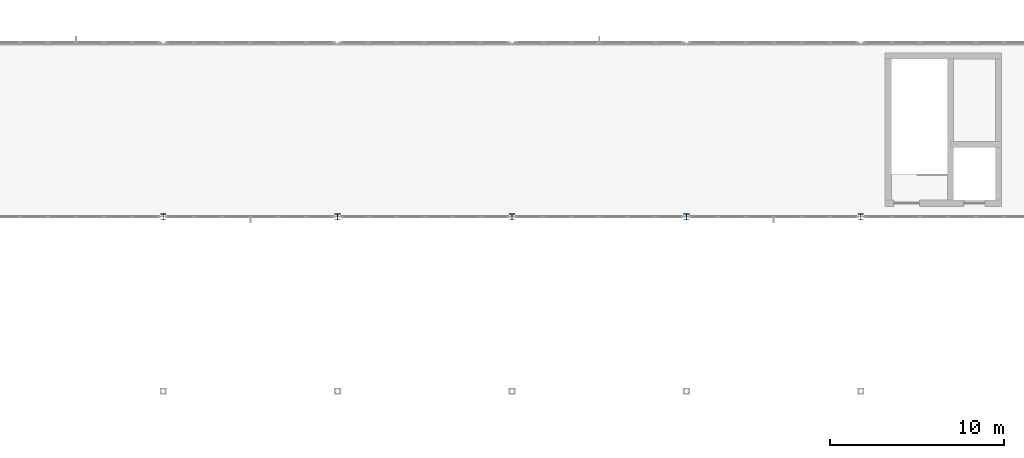
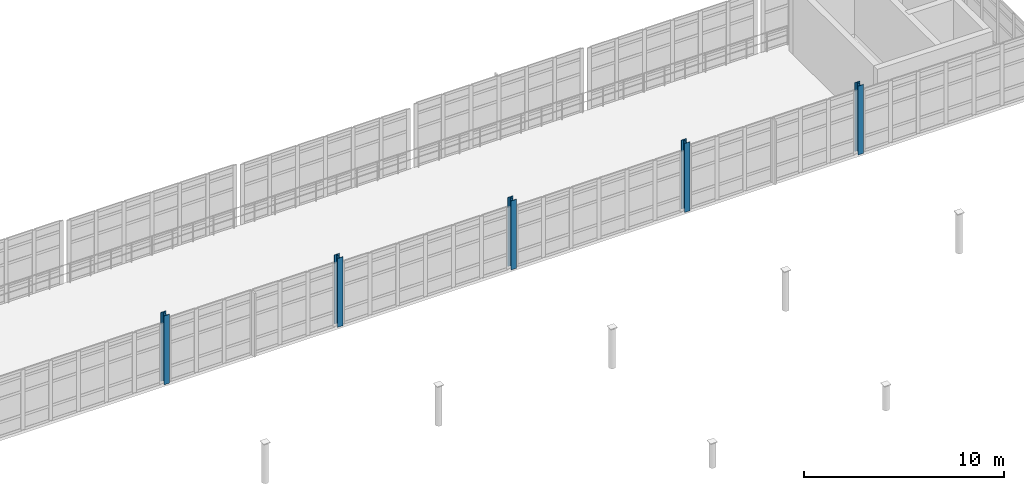
# One storey, part 9 of 122: 5 columns.
"""IFC4 building model written with IfcOpenShell, lengths in metres."""

from ifc_helpers import new_model, si_unit, direction, frame, origin, origin_2d, place, context, subcontext, project, spatial, i_section, extrude, material, material_profile, profile_set, type_object, element, save


model = new_model("IFC4")

# Units and contexts
model_context = context("Model", 3, precision=1e-05, world=origin(), true_north=direction((0.0, 1.0)))
body_context = subcontext(model_context, "Body", "Model", "MODEL_VIEW")
ifc_project = project(units=[si_unit("LENGTHUNIT", "METRE"), si_unit("AREAUNIT", "SQUARE_METRE"), si_unit("VOLUMEUNIT", "CUBIC_METRE"), si_unit("PLANEANGLEUNIT", "RADIAN"), si_unit("MASSUNIT", "GRAM", prefix="KILO"), si_unit("THERMODYNAMICTEMPERATUREUNIT", "KELVIN"), si_unit("POWERUNIT", "WATT")], contexts=[model_context])

# Site, building, storey
site_placement = place(None, origin())
site = spatial("IfcSite", under=ifc_project, at=site_placement, CompositionType="ELEMENT")
building_placement = place(site_placement, origin())
building = spatial("IfcBuilding", under=site, at=building_placement, Name="Korenveer Ferry Terminal", CompositionType="ELEMENT")
storey_placement = place(building_placement, frame((0.0, 0.0, 10.199951171875)))
storey = spatial("IfcBuildingStorey", under=building, at=storey_placement, Name="L02", CompositionType="ELEMENT", Elevation=10.199951171875)

# Columns
ifc_material = material(Name="Steel S355", Category="steel")
ifc_material_profile = material_profile(ifc_material, i_section(OverallWidth=0.300048828125, OverallDepth=0.360107421875, WebThickness=0.012451171875, FlangeThickness=0.0224609375, FilletRadius=0.027099609375, at=origin_2d()), Name="HEB 360")
ifc_profile_set = profile_set([ifc_material_profile], Name="Steel S355")
column_type = type_object("IfcColumnType", Name="STR-COL-HEB360", PredefinedType="COLUMN", material=ifc_profile_set)
for number, where, z_axis, x_axis, name in (
    (1, (73.0, 50.0, 0.0), (0.0, 0.0, 1.0), (1.0, 0.0, 0.0), "Column COL-L02-X73-Y50"),
    (2, (83.0, 50.0, 0.0), (0.0, 0.0, 1.0), (1.0, 0.0, 0.0), "Column COL-L02-X83-Y50"),
    (3, (93.0, 50.0, 0.0), (0.0, 0.0, 1.0), (1.0, 0.0, 0.0), "Column COL-L02-X93-Y50"),
    (4, (103.0, 50.0, 0.0), (0.0, 0.0, 1.0), (1.0, 0.0, 0.0), "Column COL-L02-X103-Y50"),
    (5, (113.0, 50.0, 0.0), (0.0, 0.0, 1.0), (1.0, 0.0, 0.0), "Column COL-L02-X113-Y50"),
):
    element("IfcColumn", number, at=place(storey_placement, frame(where, z_axis=z_axis, x_axis=x_axis)), inside=storey, type_object=column_type, Name=name, PredefinedType="COLUMN", context=body_context, shape_type="SweptSolid", body=[
        extrude(i_section(OverallWidth=0.300048828125, OverallDepth=0.360107421875, WebThickness=0.012451171875, FlangeThickness=0.0224609375, FilletRadius=0.027099609375, at=origin_2d()), origin(), (0.0, 0.0, 1.0), 4.199951171875),
    ])

save(model, "model.ifc")
